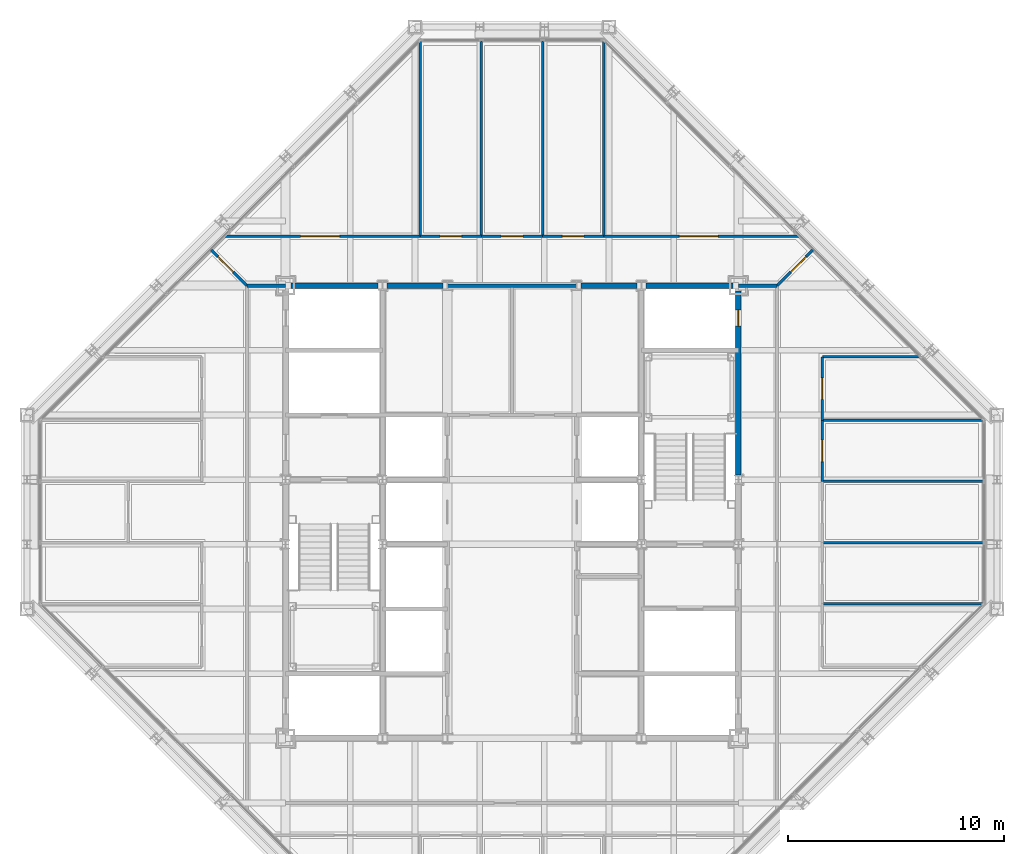
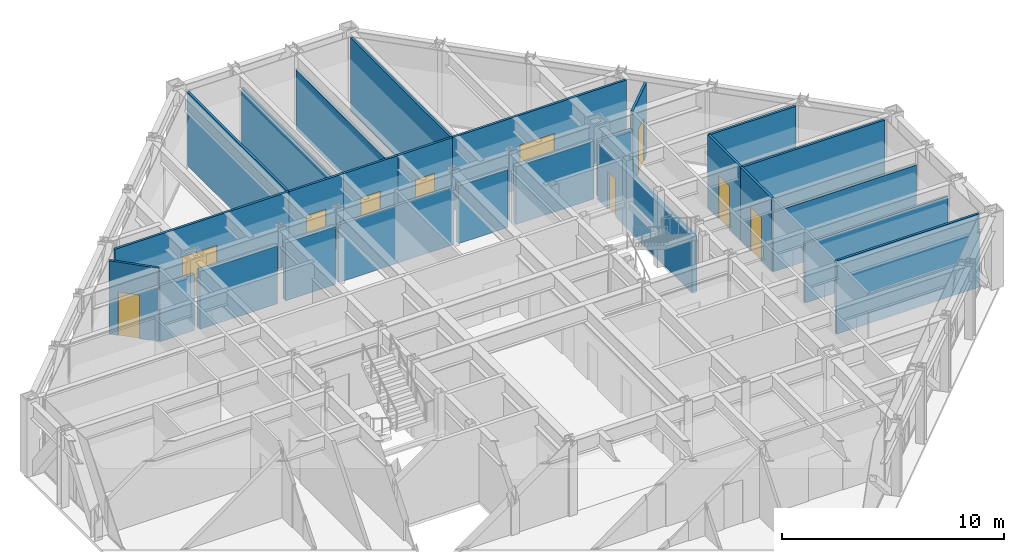
# One storey, part 12 of 15: 26 walls, 10 doors, 10 openings.
"""IFC4 building model written with IfcOpenShell, lengths in metres."""

from ifc_helpers import new_model, si_unit, direction, frame, frame_2d, origin, place, context, subcontext, project, spatial, rectangle, extrude, material, layer, layer_set, type_object, element, fill, save


model = new_model("IFC4")

# Units and contexts
model_context = context("Model", 3, precision=1e-05, world=origin(), true_north=direction((0.0, 1.0)))
body_context = subcontext(model_context, "Body", "Model", "MODEL_VIEW")
ifc_project = project(units=[si_unit("LENGTHUNIT", "METRE"), si_unit("AREAUNIT", "SQUARE_METRE"), si_unit("VOLUMEUNIT", "CUBIC_METRE"), si_unit("PLANEANGLEUNIT", "RADIAN"), si_unit("MASSUNIT", "GRAM", prefix="KILO")], contexts=[model_context])

# Site, building, storey
site_placement = place(None, origin())
site = spatial("IfcSite", under=ifc_project, at=site_placement, CompositionType="ELEMENT")
building_placement = place(site_placement, origin())
building = spatial("IfcBuilding", under=site, at=building_placement, Name="Chuquiago Exchange Tower", CompositionType="ELEMENT")
storey_placement = place(building_placement, frame((0.0, 0.0, 295.800048828125)))
storey = spatial("IfcBuildingStorey", under=building, at=storey_placement, Name="L66", CompositionType="ELEMENT", Elevation=295.800048828125)

# Walls
ifc_material_1 = material(Name="Concrete masonry, fully grouted", Category="masonry")
ifc_layer_1 = layer(ifc_material_1, 0.25)
ifc_layer_set_1 = layer_set([ifc_layer_1], Name="W1 core wall 250")
wall_type_1 = type_object("IfcWallType", Name="W1 core wall 250", PredefinedType="SOLIDWALL", material=ifc_layer_set_1)
wall_1_placement = place(storey_placement, frame((12.25, 33.0, 0.0), z_axis=(0.0, 0.0, 1.0), x_axis=(1.0, 0.0, 0.0)))
element("IfcWall", 1, at=wall_1_placement, inside=storey, type_object=wall_type_1, Name="CW-L66-11-0", PredefinedType="SOLIDWALL", context=body_context, shape_type="SweptSolid", body=[
    extrude(rectangle(XDim=4.041748046875, YDim=0.25, at=frame_2d((2.02099609375, 0.0))), origin(), (0.0, 0.0, 1.0), 3.181396484375),
])
for number, where, z_axis, x_axis, name in (
    (2, (16.708251953125, 33.0, 0.0), (0.0, 0.0, 1.0), (1.0, 0.0, 0.0), "CW-L66-11-1"),
    (3, (25.708251953125, 33.0, 0.0), (0.0, 0.0, 1.0), (1.0, 0.0, 0.0), "CW-L66-12-0"),
):
    element("IfcWall", number, at=place(storey_placement, frame(where, z_axis=z_axis, x_axis=x_axis)), inside=storey, type_object=wall_type_1, Name=name, PredefinedType="SOLIDWALL", context=body_context, shape_type="SweptSolid", body=[
        extrude(rectangle(XDim=2.58349609375, YDim=0.25, at=frame_2d((1.291748046875, 0.0))), origin(), (0.0, 0.0, 1.0), 3.181396484375),
    ])
wall_2_placement = place(storey_placement, frame((28.708251953125, 33.0, 0.0), z_axis=(0.0, 0.0, 1.0), x_axis=(1.0, 0.0, 0.0)))
element("IfcWall", 4, at=wall_2_placement, inside=storey, type_object=wall_type_1, Name="CW-L66-12-1", PredefinedType="SOLIDWALL", context=body_context, shape_type="SweptSolid", body=[
    extrude(rectangle(XDim=4.041748046875, YDim=0.25, at=frame_2d((2.02099609375, 0.0))), origin(), (0.0, 0.0, 1.0), 3.181396484375),
])

# Wall, opening, door
wall_3_placement = place(storey_placement, frame((33.0, 24.222412109375, 0.0), z_axis=(0.0, 0.0, 1.0), x_axis=(0.0, 1.0, 0.0)))
wall_3 = element("IfcWall", 5, at=wall_3_placement, inside=storey, type_object=wall_type_1, Name="CW-L66-25-2", PredefinedType="SOLIDWALL", context=body_context, shape_type="SweptSolid", body=[
    extrude(rectangle(XDim=8.527587890625, YDim=0.25, at=frame_2d((4.263671875, 0.0))), origin(), (0.0, 0.0, 1.0), 3.11279296875),
])
opening_1_placement = place(wall_3_placement, frame((6.902587890625, 0.0, 0.0)))
opening_1 = element("IfcOpeningElement", 6, at=opening_1_placement, cuts=wall_3, Name="Opening L66-010", PredefinedType="OPENING", context=body_context, shape_type="SweptSolid", body=[
    extrude(rectangle(XDim=0.75, YDim=2.10009765625, at=frame_2d((0.375, 1.050048828125))), frame((0.0, 0.135009765625, 0.0), z_axis=(0.0, -1.0, 0.0), x_axis=(1.0, 0.0, 0.0)), (0.0, 0.0, 1.0), 0.27001953125),
])
ifc_material_2 = material(Name="Steel door, painted", Category="steel")
door_type_1 = type_object("IfcDoorType", Name="D6 riser access door 750x2100", OperationType="SINGLE_SWING_LEFT", PredefinedType="DOOR", material=ifc_material_2)
door_1_placement = place(opening_1_placement, origin())
door_1 = element("IfcDoor", 7, at=door_1_placement, inside=storey, type_object=door_type_1, Name="Riser RE2 door", OperationType="SINGLE_SWING_RIGHT", OverallHeight=2.10009765625, OverallWidth=0.75, PredefinedType="DOOR", context=body_context, shape_type="SweptSolid", body=[
    extrude(rectangle(XDim=0.75, YDim=2.10009765625, at=frame_2d((0.375, 1.050048828125))), frame((0.0, 0.02490234375, 0.0), z_axis=(0.0, -1.0, 0.0), x_axis=(1.0, 0.0, 0.0)), (0.0, 0.0, 1.0), 0.050048828125),
])
fill(opening_1, door_1)

# Walls
ifc_material_3 = material(Name="Gypsum board on steel studs, acoustic insulation", Category="steel")
ifc_layer_2 = layer(ifc_material_3, 0.14990234375)
ifc_layer_set_2 = layer_set([ifc_layer_2], Name="W11 corridor wall 150")
wall_type_2 = type_object("IfcWallType", Name="W11 corridor wall 150", PredefinedType="PARTITIONING", material=ifc_layer_set_2)
for number, where, z_axis, x_axis, name in (
    (8, (10.199951171875, 33.0, 0.0), (0.0, 0.0, 1.0), (1.0, 0.0, 0.0), "PW-L66-GWN0"),
    (9, (33.0, 33.0, 0.0), (0.0, 0.0, 1.0), (1.0, 0.0, 0.0), "PW-L66-GEN0"),
):
    element("IfcWall", number, at=place(storey_placement, frame(where, z_axis=z_axis, x_axis=x_axis)), inside=storey, type_object=wall_type_2, Name=name, PredefinedType="PARTITIONING", context=body_context, shape_type="SweptSolid", body=[
        extrude(rectangle(XDim=1.800048828125, YDim=0.14990234375, at=frame_2d((0.89990234375, 0.0))), origin(), (0.0, 0.0, 1.0), 3.092529296875),
    ])
ifc_material_4 = material(Name="Gypsum board on steel studs", Category="steel")
ifc_layer_3 = layer(ifc_material_4, 0.14990234375)
ifc_layer_set_3 = layer_set([ifc_layer_3], Name="W3 core partition 150")
wall_type_3 = type_object("IfcWallType", Name="W3 core partition 150", PredefinedType="PARTITIONING", material=ifc_layer_set_3)
wall_4_placement = place(storey_placement, frame((19.5, 33.0, 0.0), z_axis=(0.0, 0.0, 1.0), x_axis=(1.0, 0.0, 0.0)))
element("IfcWall", 10, at=wall_4_placement, inside=storey, type_object=wall_type_3, Name="CW-L66-TB", PredefinedType="PARTITIONING", context=body_context, shape_type="SweptSolid", body=[
    extrude(rectangle(XDim=6.0, YDim=0.14990234375, at=frame_2d((3.0, 0.0))), origin(), (0.0, 0.0, 1.0), 3.181396484375),
])
ifc_material_5 = material(Name="Gypsum board on steel studs", Category="steel")
ifc_layer_4 = layer(ifc_material_5, 0.1201171875)
ifc_layer_set_4 = layer_set([ifc_layer_4], Name="W4 partition 120")
wall_type_4 = type_object("IfcWallType", Name="W4 partition 120", PredefinedType="PARTITIONING", material=ifc_layer_set_4)
wall_5_placement = place(storey_placement, frame((44.333984375, 18.24853515625, 0.0), z_axis=(0.0, 0.0, 1.0), x_axis=(-1.0, 0.0, 0.0)))
element("IfcWall", 11, at=wall_5_placement, inside=storey, type_object=wall_type_4, Name="PW-L66-E01825", PredefinedType="PARTITIONING", context=body_context, shape_type="SweptSolid", body=[
    extrude(rectangle(XDim=7.43408203125, YDim=0.1201171875, at=frame_2d((3.717041015625, 0.0))), origin(), (0.0, 0.0, 1.0), 4.0400390625),
])
for number, where, z_axis, x_axis, name in (
    (12, (44.347412109375, 21.082763671875, 0.0), (0.0, 0.0, 1.0), (-1.0, 0.0, 0.0), "PW-L66-E02108"),
    (13, (44.347412109375, 23.917236328125, 0.0), (0.0, 0.0, 1.0), (-1.0, 0.0, 0.0), "PW-L66-E02392"),
):
    element("IfcWall", number, at=place(storey_placement, frame(where, z_axis=z_axis, x_axis=x_axis)), inside=storey, type_object=wall_type_4, Name=name, PredefinedType="PARTITIONING", context=body_context, shape_type="SweptSolid", body=[
        extrude(rectangle(XDim=7.447509765625, YDim=0.1201171875, at=frame_2d((3.7236328125, 0.0))), origin(), (0.0, 0.0, 1.0), 3.27783203125),
    ])
wall_6_placement = place(storey_placement, frame((44.333984375, 26.75146484375, 0.0), z_axis=(0.0, 0.0, 1.0), x_axis=(-1.0, 0.0, 0.0)))
element("IfcWall", 14, at=wall_6_placement, inside=storey, type_object=wall_type_4, Name="PW-L66-E02675", PredefinedType="PARTITIONING", context=body_context, shape_type="SweptSolid", body=[
    extrude(rectangle(XDim=7.43408203125, YDim=0.1201171875, at=frame_2d((3.717041015625, 0.0))), origin(), (0.0, 0.0, 1.0), 4.0400390625),
])
wall_7_placement = place(storey_placement, frame((41.392578125, 29.69287109375, 0.0), z_axis=(0.0, 0.0, 1.0), x_axis=(-1.0, 0.0, 0.0)))
element("IfcWall", 15, at=wall_7_placement, inside=storey, type_object=wall_type_4, Name="PW-L66-E02969", PredefinedType="PARTITIONING", context=body_context, shape_type="SweptSolid", body=[
    extrude(rectangle(XDim=4.49267578125, YDim=0.1201171875, at=frame_2d((2.246337890625, 0.0))), origin(), (0.0, 0.0, 1.0), 4.0400390625),
])

# Wall, opening, door
wall_8_placement = place(storey_placement, frame((36.89990234375, 23.917236328125, 0.0), z_axis=(0.0, 0.0, 1.0), x_axis=(0.0, 1.0, 0.0)))
wall_8 = element("IfcWall", 16, at=wall_8_placement, inside=storey, type_object=wall_type_4, Name="PW-L66-EF02392", PredefinedType="PARTITIONING", context=body_context, shape_type="SweptSolid", body=[
    extrude(rectangle(XDim=2.834228515625, YDim=0.1201171875, at=frame_2d((1.4169921875, 0.0))), origin(), (0.0, 0.0, 1.0), 4.0400390625),
])
opening_2_placement = place(wall_8_placement, frame((0.9169921875, 0.0, 0.0)))
opening_2 = element("IfcOpeningElement", 17, at=opening_2_placement, cuts=wall_8, Name="Opening L66-031", PredefinedType="OPENING", context=body_context, shape_type="SweptSolid", body=[
    extrude(rectangle(XDim=1.0, YDim=2.39990234375, at=frame_2d((0.5, 1.199951171875))), frame((0.0, 0.070068359375, 0.0), z_axis=(0.0, -1.0, 0.0), x_axis=(1.0, 0.0, 0.0)), (0.0, 0.0, 1.0), 0.14013671875),
])
ifc_material_6 = material(Name="Timber frame door, full height glazed panel", Category="wood")
door_type_2 = type_object("IfcDoorType", Name="D14 glazed meeting room door 1000x2400", OperationType="SINGLE_SWING_LEFT", PredefinedType="DOOR", material=ifc_material_6)
door_2_placement = place(opening_2_placement, frame((1.0, 0.0, 0.0), z_axis=(0.0, 0.0, 1.0), x_axis=(-1.0, 0.0, 0.0)))
door_2 = element("IfcDoor", 18, at=door_2_placement, inside=storey, type_object=door_type_2, Name="Meeting room door", OperationType="SINGLE_SWING_RIGHT", OverallHeight=2.39990234375, OverallWidth=1.0, PredefinedType="DOOR", context=body_context, shape_type="SweptSolid", body=[
    extrude(rectangle(XDim=1.0, YDim=2.39990234375, at=frame_2d((0.5, 1.199951171875))), frame((0.0, 0.02490234375, 0.0), z_axis=(0.0, -1.0, 0.0), x_axis=(1.0, 0.0, 0.0)), (0.0, 0.0, 1.0), 0.050048828125),
])
fill(opening_2, door_2)

wall_9_placement = place(storey_placement, frame((36.89990234375, 26.75146484375, 0.0), z_axis=(0.0, 0.0, 1.0), x_axis=(0.0, 1.0, 0.0)))
wall_9 = element("IfcWall", 19, at=wall_9_placement, inside=storey, type_object=wall_type_4, Name="PW-L66-EF02675", PredefinedType="PARTITIONING", context=body_context, shape_type="SweptSolid", body=[
    extrude(rectangle(XDim=2.94140625, YDim=0.1201171875, at=frame_2d((1.470703125, 0.0))), origin(), (0.0, 0.0, 1.0), 4.0400390625),
])
opening_3_placement = place(wall_9_placement, frame((0.970703125, 0.0, 0.0)))
opening_3 = element("IfcOpeningElement", 20, at=opening_3_placement, cuts=wall_9, Name="Opening L66-032", PredefinedType="OPENING", context=body_context, shape_type="SweptSolid", body=[
    extrude(rectangle(XDim=1.0, YDim=2.39990234375, at=frame_2d((0.5, 1.199951171875))), frame((0.0, 0.070068359375, 0.0), z_axis=(0.0, -1.0, 0.0), x_axis=(1.0, 0.0, 0.0)), (0.0, 0.0, 1.0), 0.14013671875),
])
ifc_material_7 = material(Name="Timber door, laminate faced", Category="wood")
door_type_3 = type_object("IfcDoorType", Name="D9 room door 1000x2400", OperationType="SINGLE_SWING_LEFT", PredefinedType="DOOR", material=ifc_material_7)
door_3_placement = place(opening_3_placement, frame((1.0, 0.0, 0.0), z_axis=(0.0, 0.0, 1.0), x_axis=(-1.0, 0.0, 0.0)))
door_3 = element("IfcDoor", 21, at=door_3_placement, inside=storey, type_object=door_type_3, Name="Office door", OperationType="SINGLE_SWING_RIGHT", OverallHeight=2.39990234375, OverallWidth=1.0, PredefinedType="DOOR", context=body_context, shape_type="SweptSolid", body=[
    extrude(rectangle(XDim=1.0, YDim=2.39990234375, at=frame_2d((0.5, 1.199951171875))), frame((0.0, 0.02490234375, 0.0), z_axis=(0.0, -1.0, 0.0), x_axis=(1.0, 0.0, 0.0)), (0.0, 0.0, 1.0), 0.050048828125),
])
fill(opening_3, door_3)

# Walls
wall_10_placement = place(storey_placement, frame((18.24853515625, 44.333984375, 0.0), z_axis=(0.0, 0.0, 1.0), x_axis=(0.0, -1.0, 0.0)))
element("IfcWall", 22, at=wall_10_placement, inside=storey, type_object=wall_type_4, Name="PW-L66-N01825", PredefinedType="PARTITIONING", context=body_context, shape_type="SweptSolid", body=[
    extrude(rectangle(XDim=9.033935546875, YDim=0.1201171875, at=frame_2d((4.51708984375, 0.0))), origin(), (0.0, 0.0, 1.0), 4.0400390625),
])
for number, where, z_axis, x_axis, name in (
    (23, (21.082763671875, 44.347412109375, 0.0), (0.0, 0.0, 1.0), (0.0, -1.0, 0.0), "PW-L66-N02108"),
    (24, (23.917236328125, 44.347412109375, 0.0), (0.0, 0.0, 1.0), (0.0, -1.0, 0.0), "PW-L66-N02392"),
):
    element("IfcWall", number, at=place(storey_placement, frame(where, z_axis=z_axis, x_axis=x_axis)), inside=storey, type_object=wall_type_4, Name=name, PredefinedType="PARTITIONING", context=body_context, shape_type="SweptSolid", body=[
        extrude(rectangle(XDim=9.04736328125, YDim=0.1201171875, at=frame_2d((4.523681640625, 0.0))), origin(), (0.0, 0.0, 1.0), 3.27783203125),
    ])
wall_11_placement = place(storey_placement, frame((26.75146484375, 44.333984375, 0.0), z_axis=(0.0, 0.0, 1.0), x_axis=(0.0, -1.0, 0.0)))
element("IfcWall", 25, at=wall_11_placement, inside=storey, type_object=wall_type_4, Name="PW-L66-N02675", PredefinedType="PARTITIONING", context=body_context, shape_type="SweptSolid", body=[
    extrude(rectangle(XDim=9.033935546875, YDim=0.1201171875, at=frame_2d((4.51708984375, 0.0))), origin(), (0.0, 0.0, 1.0), 4.0400390625),
])

# Wall, opening, door
wall_12_placement = place(storey_placement, frame((9.185546875, 35.300048828125, 0.0), z_axis=(0.0, 0.0, 1.0), x_axis=(1.0, 0.0, 0.0)))
wall_12 = element("IfcWall", 26, at=wall_12_placement, inside=storey, type_object=wall_type_4, Name="PW-L66-NF00942", PredefinedType="PARTITIONING", context=body_context, shape_type="SweptSolid", body=[
    extrude(rectangle(XDim=9.06298828125, YDim=0.1201171875, at=frame_2d((4.531494140625, 0.0))), origin(), (0.0, 0.0, 1.0), 4.0400390625),
])
opening_4_placement = place(wall_12_placement, frame((3.51220703125, 0.0, 0.0)))
opening_4 = element("IfcOpeningElement", 27, at=opening_4_placement, cuts=wall_12, Name="Opening L66-033", PredefinedType="OPENING", context=body_context, shape_type="SweptSolid", body=[
    extrude(rectangle(XDim=1.800048828125, YDim=2.39990234375, at=frame_2d((0.89990234375, 1.199951171875))), frame((0.0, 0.070068359375, 0.0), z_axis=(0.0, -1.0, 0.0), x_axis=(1.0, 0.0, 0.0)), (0.0, 0.0, 1.0), 0.14013671875),
])
ifc_material_8 = material(Name="Timber door pair, laminate faced", Category="wood")
door_type_4 = type_object("IfcDoorType", Name="D15 double room door 1800x2400", OperationType="DOUBLE_DOOR_DOUBLE_SWING", PredefinedType="DOOR", material=ifc_material_8)
door_4_placement = place(opening_4_placement, origin())
door_4 = element("IfcDoor", 28, at=door_4_placement, inside=storey, type_object=door_type_4, Name="Training room door", OperationType="DOUBLE_DOOR_DOUBLE_SWING", OverallHeight=2.39990234375, OverallWidth=1.800048828125, PredefinedType="DOOR", context=body_context, shape_type="SweptSolid", body=[
    extrude(rectangle(XDim=1.800048828125, YDim=2.39990234375, at=frame_2d((0.89990234375, 1.199951171875))), frame((0.0, 0.02490234375, 0.0), z_axis=(0.0, -1.0, 0.0), x_axis=(1.0, 0.0, 0.0)), (0.0, 0.0, 1.0), 0.050048828125),
])
fill(opening_4, door_4)

wall_13_placement = place(storey_placement, frame((18.24853515625, 35.300048828125, 0.0), z_axis=(0.0, 0.0, 1.0), x_axis=(1.0, 0.0, 0.0)))
wall_13 = element("IfcWall", 29, at=wall_13_placement, inside=storey, type_object=wall_type_4, Name="PW-L66-NF01825", PredefinedType="PARTITIONING", context=body_context, shape_type="SweptSolid", body=[
    extrude(rectangle(XDim=2.834228515625, YDim=0.1201171875, at=frame_2d((1.4169921875, 0.0))), origin(), (0.0, 0.0, 1.0), 4.0400390625),
])
opening_5_placement = place(wall_13_placement, frame((0.9169921875, 0.0, 0.0)))
opening_5 = element("IfcOpeningElement", 30, at=opening_5_placement, cuts=wall_13, Name="Opening L66-034", PredefinedType="OPENING", context=body_context, shape_type="SweptSolid", body=[
    extrude(rectangle(XDim=1.0, YDim=2.39990234375, at=frame_2d((0.5, 1.199951171875))), frame((0.0, 0.070068359375, 0.0), z_axis=(0.0, -1.0, 0.0), x_axis=(1.0, 0.0, 0.0)), (0.0, 0.0, 1.0), 0.14013671875),
])
door_5_placement = place(opening_5_placement, origin())
door_5 = element("IfcDoor", 31, at=door_5_placement, inside=storey, type_object=door_type_3, Name="Executive office door", OperationType="SINGLE_SWING_LEFT", OverallHeight=2.39990234375, OverallWidth=1.0, PredefinedType="DOOR", context=body_context, shape_type="SweptSolid", body=[
    extrude(rectangle(XDim=1.0, YDim=2.39990234375, at=frame_2d((0.5, 1.199951171875))), frame((0.0, 0.02490234375, 0.0), z_axis=(0.0, -1.0, 0.0), x_axis=(1.0, 0.0, 0.0)), (0.0, 0.0, 1.0), 0.050048828125),
])
fill(opening_5, door_5)

wall_14_placement = place(storey_placement, frame((21.082763671875, 35.300048828125, 0.0), z_axis=(0.0, 0.0, 1.0), x_axis=(1.0, 0.0, 0.0)))
wall_14 = element("IfcWall", 32, at=wall_14_placement, inside=storey, type_object=wall_type_4, Name="PW-L66-NF02108", PredefinedType="PARTITIONING", context=body_context, shape_type="SweptSolid", body=[
    extrude(rectangle(XDim=2.83447265625, YDim=0.1201171875, at=frame_2d((1.417236328125, 0.0))), origin(), (0.0, 0.0, 1.0), 4.0400390625),
])
opening_6_placement = place(wall_14_placement, frame((0.917236328125, 0.0, 0.0)))
opening_6 = element("IfcOpeningElement", 33, at=opening_6_placement, cuts=wall_14, Name="Opening L66-035", PredefinedType="OPENING", context=body_context, shape_type="SweptSolid", body=[
    extrude(rectangle(XDim=1.0, YDim=2.39990234375, at=frame_2d((0.5, 1.199951171875))), frame((0.0, 0.070068359375, 0.0), z_axis=(0.0, -1.0, 0.0), x_axis=(1.0, 0.0, 0.0)), (0.0, 0.0, 1.0), 0.14013671875),
])
door_6_placement = place(opening_6_placement, origin())
door_6 = element("IfcDoor", 34, at=door_6_placement, inside=storey, type_object=door_type_3, Name="Executive office door", OperationType="SINGLE_SWING_LEFT", OverallHeight=2.39990234375, OverallWidth=1.0, PredefinedType="DOOR", context=body_context, shape_type="SweptSolid", body=[
    extrude(rectangle(XDim=1.0, YDim=2.39990234375, at=frame_2d((0.5, 1.199951171875))), frame((0.0, 0.02490234375, 0.0), z_axis=(0.0, -1.0, 0.0), x_axis=(1.0, 0.0, 0.0)), (0.0, 0.0, 1.0), 0.050048828125),
])
fill(opening_6, door_6)

wall_15_placement = place(storey_placement, frame((23.917236328125, 35.300048828125, 0.0), z_axis=(0.0, 0.0, 1.0), x_axis=(1.0, 0.0, 0.0)))
wall_15 = element("IfcWall", 35, at=wall_15_placement, inside=storey, type_object=wall_type_4, Name="PW-L66-NF02392", PredefinedType="PARTITIONING", context=body_context, shape_type="SweptSolid", body=[
    extrude(rectangle(XDim=2.834228515625, YDim=0.1201171875, at=frame_2d((1.4169921875, 0.0))), origin(), (0.0, 0.0, 1.0), 4.0400390625),
])
opening_7_placement = place(wall_15_placement, frame((0.9169921875, 0.0, 0.0)))
opening_7 = element("IfcOpeningElement", 36, at=opening_7_placement, cuts=wall_15, Name="Opening L66-036", PredefinedType="OPENING", context=body_context, shape_type="SweptSolid", body=[
    extrude(rectangle(XDim=1.0, YDim=2.39990234375, at=frame_2d((0.5, 1.199951171875))), frame((0.0, 0.070068359375, 0.0), z_axis=(0.0, -1.0, 0.0), x_axis=(1.0, 0.0, 0.0)), (0.0, 0.0, 1.0), 0.14013671875),
])
door_7_placement = place(opening_7_placement, origin())
door_7 = element("IfcDoor", 37, at=door_7_placement, inside=storey, type_object=door_type_3, Name="Executive office door", OperationType="SINGLE_SWING_LEFT", OverallHeight=2.39990234375, OverallWidth=1.0, PredefinedType="DOOR", context=body_context, shape_type="SweptSolid", body=[
    extrude(rectangle(XDim=1.0, YDim=2.39990234375, at=frame_2d((0.5, 1.199951171875))), frame((0.0, 0.02490234375, 0.0), z_axis=(0.0, -1.0, 0.0), x_axis=(1.0, 0.0, 0.0)), (0.0, 0.0, 1.0), 0.050048828125),
])
fill(opening_7, door_7)

wall_16_placement = place(storey_placement, frame((26.75146484375, 35.300048828125, 0.0), z_axis=(0.0, 0.0, 1.0), x_axis=(1.0, 0.0, 0.0)))
wall_16 = element("IfcWall", 38, at=wall_16_placement, inside=storey, type_object=wall_type_4, Name="PW-L66-NF02675", PredefinedType="PARTITIONING", context=body_context, shape_type="SweptSolid", body=[
    extrude(rectangle(XDim=9.06298828125, YDim=0.1201171875, at=frame_2d((4.531494140625, 0.0))), origin(), (0.0, 0.0, 1.0), 4.0400390625),
])
opening_8_placement = place(wall_16_placement, frame((3.51220703125, 0.0, 0.0)))
opening_8 = element("IfcOpeningElement", 39, at=opening_8_placement, cuts=wall_16, Name="Opening L66-037", PredefinedType="OPENING", context=body_context, shape_type="SweptSolid", body=[
    extrude(rectangle(XDim=1.800048828125, YDim=2.39990234375, at=frame_2d((0.89990234375, 1.199951171875))), frame((0.0, 0.070068359375, 0.0), z_axis=(0.0, -1.0, 0.0), x_axis=(1.0, 0.0, 0.0)), (0.0, 0.0, 1.0), 0.14013671875),
])
door_8_placement = place(opening_8_placement, origin())
door_8 = element("IfcDoor", 40, at=door_8_placement, inside=storey, type_object=door_type_4, Name="Boardroom door", OperationType="DOUBLE_DOOR_DOUBLE_SWING", OverallHeight=2.39990234375, OverallWidth=1.800048828125, PredefinedType="DOOR", context=body_context, shape_type="SweptSolid", body=[
    extrude(rectangle(XDim=1.800048828125, YDim=2.39990234375, at=frame_2d((0.89990234375, 1.199951171875))), frame((0.0, 0.02490234375, 0.0), z_axis=(0.0, -1.0, 0.0), x_axis=(1.0, 0.0, 0.0)), (0.0, 0.0, 1.0), 0.050048828125),
])
fill(opening_8, door_8)

wall_17_placement = place(storey_placement, frame((34.800048828125, 33.0, 0.0), z_axis=(0.0, 0.0, 1.0), x_axis=(0.707106781187, 0.707106781187, 0.0)))
wall_17 = element("IfcWall", 41, at=wall_17_placement, inside=storey, type_object=wall_type_4, Name="PW-L66-QNE", PredefinedType="PARTITIONING", context=body_context, shape_type="SweptSolid", body=[
    extrude(rectangle(XDim=2.337890625, YDim=0.1201171875, at=frame_2d((1.1689453125, 0.0))), origin(), (0.0, 0.0, 1.0), 4.0400390625),
])
opening_9_placement = place(wall_17_placement, frame((0.89990234375, 0.0, 0.0)))
opening_9 = element("IfcOpeningElement", 42, at=opening_9_placement, cuts=wall_17, Name="Opening L66-046", PredefinedType="OPENING", context=body_context, shape_type="SweptSolid", body=[
    extrude(rectangle(XDim=1.0, YDim=2.39990234375, at=frame_2d((0.5, 1.199951171875))), frame((0.0, 0.070068359375, 0.0), z_axis=(0.0, -1.0, 0.0), x_axis=(1.0, 0.0, 0.0)), (0.0, 0.0, 1.0), 0.14013671875),
])
door_9_placement = place(opening_9_placement, origin())
door_9 = element("IfcDoor", 43, at=door_9_placement, inside=storey, type_object=door_type_3, Name="Team area door", OperationType="SINGLE_SWING_RIGHT", OverallHeight=2.39990234375, OverallWidth=1.0, PredefinedType="DOOR", context=body_context, shape_type="SweptSolid", body=[
    extrude(rectangle(XDim=1.0, YDim=2.39990234375, at=frame_2d((0.5, 1.199951171875))), frame((0.0, 0.02490234375, 0.0), z_axis=(0.0, -1.0, 0.0), x_axis=(1.0, 0.0, 0.0)), (0.0, 0.0, 1.0), 0.050048828125),
])
fill(opening_9, door_9)

wall_18_placement = place(storey_placement, frame((10.199951171875, 33.0, 0.0), z_axis=(0.0, 0.0, 1.0), x_axis=(-0.707106781187, 0.707106781187, 0.0)))
wall_18 = element("IfcWall", 44, at=wall_18_placement, inside=storey, type_object=wall_type_4, Name="PW-L66-QNW", PredefinedType="PARTITIONING", context=body_context, shape_type="SweptSolid", body=[
    extrude(rectangle(XDim=2.337890625, YDim=0.1201171875, at=frame_2d((1.1689453125, 0.0))), origin(), (0.0, 0.0, 1.0), 4.0400390625),
])
opening_10_placement = place(wall_18_placement, frame((0.89990234375, 0.0, 0.0)))
opening_10 = element("IfcOpeningElement", 45, at=opening_10_placement, cuts=wall_18, Name="Opening L66-047", PredefinedType="OPENING", context=body_context, shape_type="SweptSolid", body=[
    extrude(rectangle(XDim=1.0, YDim=2.39990234375, at=frame_2d((0.5, 1.199951171875))), frame((0.0, 0.070068359375, 0.0), z_axis=(0.0, -1.0, 0.0), x_axis=(1.0, 0.0, 0.0)), (0.0, 0.0, 1.0), 0.14013671875),
])
door_10_placement = place(opening_10_placement, frame((1.0, 0.0, 0.0), z_axis=(0.0, 0.0, 1.0), x_axis=(-1.0, 0.0, 0.0)))
door_10 = element("IfcDoor", 46, at=door_10_placement, inside=storey, type_object=door_type_3, Name="Team area door", OperationType="SINGLE_SWING_LEFT", OverallHeight=2.39990234375, OverallWidth=1.0, PredefinedType="DOOR", context=body_context, shape_type="SweptSolid", body=[
    extrude(rectangle(XDim=1.0, YDim=2.39990234375, at=frame_2d((0.5, 1.199951171875))), frame((0.0, 0.02490234375, 0.0), z_axis=(0.0, -1.0, 0.0), x_axis=(1.0, 0.0, 0.0)), (0.0, 0.0, 1.0), 0.050048828125),
])
fill(opening_10, door_10)

save(model, "model.ifc")
